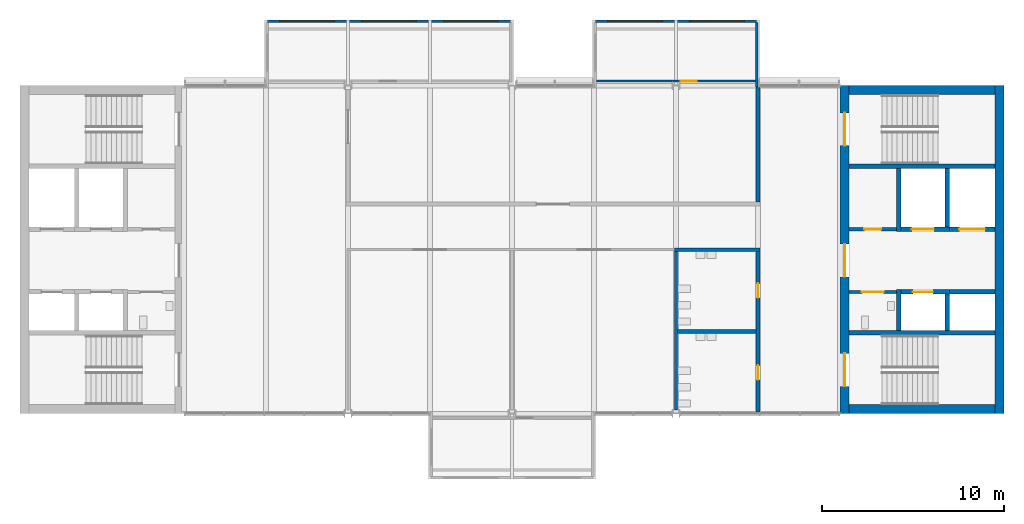
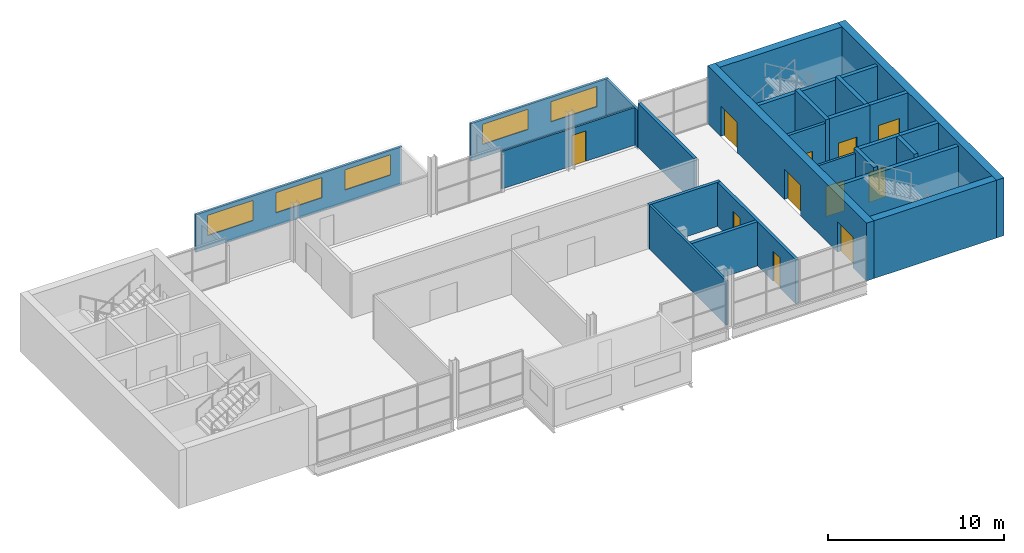
# One storey, part 6 of 10: 25 walls, 11 doors, 5 windows, 16 openings.
"""IFC4 building model written with IfcOpenShell, lengths in metres."""

from ifc_helpers import new_model, si_unit, direction, frame, frame_2d, origin, place, context, subcontext, project, spatial, rectangle, extrude, material, layer, layer_set, type_object, element, fill, save


model = new_model("IFC4")

# Units and contexts
model_context = context("Model", 3, precision=1e-05, world=origin(), true_north=direction((0.0, 1.0)))
body_context = subcontext(model_context, "Body", "Model", "MODEL_VIEW")
ifc_project = project(units=[si_unit("LENGTHUNIT", "METRE"), si_unit("AREAUNIT", "SQUARE_METRE"), si_unit("VOLUMEUNIT", "CUBIC_METRE"), si_unit("PLANEANGLEUNIT", "RADIAN"), si_unit("MASSUNIT", "GRAM", prefix="KILO")], contexts=[model_context])

# Site, building, storey
site_placement = place(None, origin())
site = spatial("IfcSite", under=ifc_project, at=site_placement, CompositionType="ELEMENT")
building_placement = place(site_placement, origin())
building = spatial("IfcBuilding", under=site, at=building_placement, Name="Corbel Yard City Hall", CompositionType="ELEMENT")
storey_placement = place(building_placement, frame((0.0, 0.0, 47.199951171875)))
storey = spatial("IfcBuildingStorey", under=building, at=storey_placement, Name="L11", CompositionType="ELEMENT", Elevation=47.199951171875)

# Walls
ifc_material_1 = material(Name="Concrete N40 (40 MPa)", Category="concrete")
ifc_layer_1 = layer(ifc_material_1, 0.25)
ifc_layer_set_1 = layer_set([ifc_layer_1], Name="Concrete N40 (40 MPa)")
wall_type_1 = type_object("IfcWallType", Name="IW2", PredefinedType="SOLIDWALL", material=ifc_layer_set_1)
for number, where, z_axis, x_axis, name in (
    (1, (45.5, 103.425048828125, 0.0), (0.0, 0.0, 1.0), (1.0, 0.0, 0.0), "Stair enclosure wall"),
    (2, (45.5, 112.574951171875, 0.0), (0.0, 0.0, 1.0), (1.0, 0.0, 0.0), "Stair enclosure wall"),
):
    element("IfcWall", number, at=place(storey_placement, frame(where, z_axis=z_axis, x_axis=x_axis)), inside=storey, type_object=wall_type_1, Name=name, PredefinedType="SOLIDWALL", context=body_context, shape_type="SweptSolid", body=[
        extrude(rectangle(XDim=8.0, YDim=0.25, at=frame_2d((4.0, 0.0))), origin(), (0.0, 0.0, 1.0), 3.75),
    ])
wall_1_placement = place(storey_placement, frame((48.22509765625, 103.550048828125, 0.0), z_axis=(0.0, 0.0, 1.0), x_axis=(0.0, 1.0, 0.0)))
element("IfcWall", 3, at=wall_1_placement, inside=storey, type_object=wall_type_1, Name="Lift LP25 shaft wall", PredefinedType="SOLIDWALL", context=body_context, shape_type="SweptSolid", body=[
    extrude(rectangle(XDim=2.25, YDim=0.25, at=frame_2d((1.125, 0.0))), origin(), (0.0, 0.0, 1.0), 4.0),
])
wall_2_placement = place(storey_placement, frame((50.875, 103.550048828125, 0.0), z_axis=(0.0, 0.0, 1.0), x_axis=(0.0, 1.0, 0.0)))
element("IfcWall", 4, at=wall_2_placement, inside=storey, type_object=wall_type_1, Name="Lift LP25 shaft wall", PredefinedType="SOLIDWALL", context=body_context, shape_type="SweptSolid", body=[
    extrude(rectangle(XDim=2.0, YDim=0.25, at=frame_2d((1.0, 0.0))), origin(), (0.0, 0.0, 1.0), 4.0),
])

# Wall, opening, door
wall_3_placement = place(storey_placement, frame((48.35009765625, 105.675048828125, 0.0), z_axis=(0.0, 0.0, 1.0), x_axis=(1.0, 0.0, 0.0)))
wall_3 = element("IfcWall", 5, at=wall_3_placement, inside=storey, type_object=wall_type_1, Name="Lift LP25 shaft wall", PredefinedType="SOLIDWALL", context=body_context, shape_type="SweptSolid", body=[
    extrude(rectangle(XDim=2.64990234375, YDim=0.25, at=frame_2d((1.324951171875, 0.0))), origin(), (0.0, 0.0, 1.0), 4.0),
])
opening_1_placement = place(wall_3_placement, frame((0.64990234375, 0.0, 0.0)))
opening_1 = element("IfcOpeningElement", 6, at=opening_1_placement, cuts=wall_3, Name="Opening T3-008", PredefinedType="OPENING", context=body_context, shape_type="SweptSolid", body=[
    extrude(rectangle(XDim=1.10009765625, YDim=2.10009765625, at=frame_2d((0.550048828125, 1.050048828125))), frame((0.0, 0.135009765625, 0.0), z_axis=(0.0, -1.0, 0.0), x_axis=(1.0, 0.0, 0.0)), (0.0, 0.0, 1.0), 0.27001953125),
])
ifc_material_2 = material(Name="Stainless steel Grade 316", Category="steel")
door_type_1 = type_object("IfcDoorType", Name="LD1", OperationType="DOUBLE_DOOR_SLIDING", PredefinedType="DOOR", material=ifc_material_2)
door_1_placement = place(opening_1_placement, origin())
door_1 = element("IfcDoor", 7, at=door_1_placement, inside=storey, type_object=door_type_1, Name="Lift LP25 landing door", OperationType="DOUBLE_DOOR_SLIDING", OverallHeight=2.10009765625, OverallWidth=1.10009765625, PredefinedType="DOOR", context=body_context, shape_type="SweptSolid", body=[
    extrude(rectangle(XDim=1.10009765625, YDim=2.10009765625, at=frame_2d((0.550048828125, 1.050048828125))), frame((0.0, 0.02490234375, 0.0), z_axis=(0.0, -1.0, 0.0), x_axis=(1.0, 0.0, 0.0)), (0.0, 0.0, 1.0), 0.050048828125),
])
fill(opening_1, door_1)

# Walls
wall_4_placement = place(storey_placement, frame((51.0, 105.675048828125, 0.0), z_axis=(0.0, 0.0, 1.0), x_axis=(1.0, 0.0, 0.0)))
element("IfcWall", 8, at=wall_4_placement, inside=storey, type_object=wall_type_1, Name="Lift LP26 shaft wall", PredefinedType="SOLIDWALL", context=body_context, shape_type="SweptSolid", body=[
    extrude(rectangle(XDim=2.5, YDim=0.25, at=frame_2d((1.25, 0.0))), origin(), (0.0, 0.0, 1.0), 4.0),
])
wall_5_placement = place(storey_placement, frame((48.22509765625, 109.0, 0.0), z_axis=(0.0, 0.0, 1.0), x_axis=(0.0, 1.0, 0.0)))
element("IfcWall", 9, at=wall_5_placement, inside=storey, type_object=wall_type_1, Name="Lift LF2 shaft wall", PredefinedType="SOLIDWALL", context=body_context, shape_type="SweptSolid", body=[
    extrude(rectangle(XDim=3.449951171875, YDim=0.25, at=frame_2d((1.72509765625, 0.0))), origin(), (0.0, 0.0, 1.0), 4.0),
])
wall_6_placement = place(storey_placement, frame((50.875, 109.25, 0.0), z_axis=(0.0, 0.0, 1.0), x_axis=(0.0, 1.0, 0.0)))
element("IfcWall", 10, at=wall_6_placement, inside=storey, type_object=wall_type_1, Name="Lift LF2 shaft wall", PredefinedType="SOLIDWALL", context=body_context, shape_type="SweptSolid", body=[
    extrude(rectangle(XDim=3.199951171875, YDim=0.25, at=frame_2d((1.60009765625, 0.0))), origin(), (0.0, 0.0, 1.0), 4.0),
])

# Wall, opening, door
wall_7_placement = place(storey_placement, frame((48.35009765625, 109.125, 0.0), z_axis=(0.0, 0.0, 1.0), x_axis=(1.0, 0.0, 0.0)))
wall_7 = element("IfcWall", 11, at=wall_7_placement, inside=storey, type_object=wall_type_1, Name="Lift LF2 shaft wall", PredefinedType="SOLIDWALL", context=body_context, shape_type="SweptSolid", body=[
    extrude(rectangle(XDim=2.64990234375, YDim=0.25, at=frame_2d((1.324951171875, 0.0))), origin(), (0.0, 0.0, 1.0), 4.0),
])
opening_2_placement = place(wall_7_placement, frame((0.60009765625, 0.0, 0.0)))
opening_2 = element("IfcOpeningElement", 12, at=opening_2_placement, cuts=wall_7, Name="Opening T3-009", PredefinedType="OPENING", context=body_context, shape_type="SweptSolid", body=[
    extrude(rectangle(XDim=1.199951171875, YDim=2.10009765625, at=frame_2d((0.60009765625, 1.050048828125))), frame((0.0, 0.135009765625, 0.0), z_axis=(0.0, -1.0, 0.0), x_axis=(1.0, 0.0, 0.0)), (0.0, 0.0, 1.0), 0.27001953125),
])
door_type_2 = type_object("IfcDoorType", Name="LD2", OperationType="DOUBLE_DOOR_SLIDING", PredefinedType="DOOR", material=ifc_material_2)
door_2_placement = place(opening_2_placement, origin())
door_2 = element("IfcDoor", 13, at=door_2_placement, inside=storey, type_object=door_type_2, Name="Lift LF2 landing door", OperationType="DOUBLE_DOOR_SLIDING", OverallHeight=2.10009765625, OverallWidth=1.199951171875, PredefinedType="DOOR", context=body_context, shape_type="SweptSolid", body=[
    extrude(rectangle(XDim=1.199951171875, YDim=2.10009765625, at=frame_2d((0.60009765625, 1.050048828125))), frame((0.0, 0.02490234375, 0.0), z_axis=(0.0, -1.0, 0.0), x_axis=(1.0, 0.0, 0.0)), (0.0, 0.0, 1.0), 0.050048828125),
])
fill(opening_2, door_2)

wall_8_placement = place(storey_placement, frame((51.0, 109.125, 0.0), z_axis=(0.0, 0.0, 1.0), x_axis=(1.0, 0.0, 0.0)))
wall_8 = element("IfcWall", 14, at=wall_8_placement, inside=storey, type_object=wall_type_1, Name="Lift LG1 shaft wall", PredefinedType="SOLIDWALL", context=body_context, shape_type="SweptSolid", body=[
    extrude(rectangle(XDim=2.5, YDim=0.25, at=frame_2d((1.25, 0.0))), origin(), (0.0, 0.0, 1.0), 4.0),
])
opening_3_placement = place(wall_8_placement, frame((0.550048828125, 0.0, 0.0)))
opening_3 = element("IfcOpeningElement", 15, at=opening_3_placement, cuts=wall_8, Name="Opening T3-010", PredefinedType="OPENING", context=body_context, shape_type="SweptSolid", body=[
    extrude(rectangle(XDim=1.39990234375, YDim=2.39990234375, at=frame_2d((0.699951171875, 1.199951171875))), frame((0.0, 0.135009765625, 0.0), z_axis=(0.0, -1.0, 0.0), x_axis=(1.0, 0.0, 0.0)), (0.0, 0.0, 1.0), 0.27001953125),
])
door_type_3 = type_object("IfcDoorType", Name="LD3", OperationType="DOUBLE_DOOR_SLIDING", PredefinedType="DOOR", material=ifc_material_2)
door_3_placement = place(opening_3_placement, origin())
door_3 = element("IfcDoor", 16, at=door_3_placement, inside=storey, type_object=door_type_3, Name="Lift LG1 landing door", OperationType="DOUBLE_DOOR_SLIDING", OverallHeight=2.39990234375, OverallWidth=1.39990234375, PredefinedType="DOOR", context=body_context, shape_type="SweptSolid", body=[
    extrude(rectangle(XDim=1.39990234375, YDim=2.39990234375, at=frame_2d((0.699951171875, 1.199951171875))), frame((0.0, 0.02490234375, 0.0), z_axis=(0.0, -1.0, 0.0), x_axis=(1.0, 0.0, 0.0)), (0.0, 0.0, 1.0), 0.050048828125),
])
fill(opening_3, door_3)

# Wall, openings, windows
ifc_material_3 = material(Name="Anodised aluminium", Category="aluminium")
ifc_layer_2 = layer(ifc_material_3, 0.02392578125)
ifc_material_4 = material(Name="Steel Grade G550 (550 MPa yield)", Category="steel")
ifc_layer_3 = layer(ifc_material_4, 0.10009765625)
ifc_material_5 = material(Name="Gypsum plasterboard", Category="gypsum")
ifc_layer_4 = layer(ifc_material_5, 0.02587890625)
ifc_layer_set_2 = layer_set([ifc_layer_2, ifc_layer_3, ifc_layer_4], Name="Steel Grade G550 (550 MPa yield)")
wall_type_2 = type_object("IfcWallType", Name="PD1", PredefinedType="SOLIDWALL", material=ifc_layer_set_2)
wall_9_placement = place(storey_placement, frame((13.5, 120.52490234375, 0.0), z_axis=(0.0, 0.0, 1.0), x_axis=(1.0, 0.0, 0.0)))
wall_9 = element("IfcWall", 17, at=wall_9_placement, inside=storey, type_object=wall_type_2, Name="Pod outer wall L11", PredefinedType="SOLIDWALL", context=body_context, shape_type="SweptSolid", body=[
    extrude(rectangle(XDim=13.5, YDim=0.14990234375, at=frame_2d((6.75, 0.0))), origin(), (0.0, 0.0, 1.0), 2.60009765625),
])
opening_4_placement = place(wall_9_placement, frame((0.75, 0.0, 0.89990234375)))
opening_4 = element("IfcOpeningElement", 18, at=opening_4_placement, cuts=wall_9, Name="Opening WN5", PredefinedType="OPENING", context=body_context, shape_type="SweptSolid", body=[
    extrude(rectangle(XDim=3.0, YDim=1.39990234375, at=frame_2d((1.5, 0.699951171875))), frame((0.0, 0.0849609375, 0.0), z_axis=(0.0, -1.0, 0.0), x_axis=(1.0, 0.0, 0.0)), (0.0, 0.0, 1.0), 0.169921875),
])
opening_5_placement = place(wall_9_placement, frame((5.25, 0.0, 0.89990234375)))
opening_5 = element("IfcOpeningElement", 19, at=opening_5_placement, cuts=wall_9, Name="Opening WN5", PredefinedType="OPENING", context=body_context, shape_type="SweptSolid", body=[
    extrude(rectangle(XDim=3.0, YDim=1.39990234375, at=frame_2d((1.5, 0.699951171875))), frame((0.0, 0.0849609375, 0.0), z_axis=(0.0, -1.0, 0.0), x_axis=(1.0, 0.0, 0.0)), (0.0, 0.0, 1.0), 0.169921875),
])
opening_6_placement = place(wall_9_placement, frame((9.75, 0.0, 0.89990234375)))
opening_6 = element("IfcOpeningElement", 20, at=opening_6_placement, cuts=wall_9, Name="Opening WN5", PredefinedType="OPENING", context=body_context, shape_type="SweptSolid", body=[
    extrude(rectangle(XDim=3.0, YDim=1.39990234375, at=frame_2d((1.5, 0.699951171875))), frame((0.0, 0.0849609375, 0.0), z_axis=(0.0, -1.0, 0.0), x_axis=(1.0, 0.0, 0.0)), (0.0, 0.0, 1.0), 0.169921875),
])
ifc_material_6 = material(Name="Aluminium frame, double glazed low-e glass", Category="aluminium")
window_type = type_object("IfcWindowType", Name="WN5", PartitioningType="SINGLE_PANEL", PredefinedType="WINDOW", material=ifc_material_6)
window_1_placement = place(opening_4_placement, origin())
window_1 = element("IfcWindow", 21, at=window_1_placement, inside=storey, type_object=window_type, Name="Window WN5 L11", OverallHeight=1.39990234375, OverallWidth=3.0, PartitioningType="SINGLE_PANEL", PredefinedType="WINDOW", context=body_context, shape_type="SweptSolid", body=[
    extrude(rectangle(XDim=3.0, YDim=1.39990234375, at=frame_2d((1.5, 0.699951171875))), frame((0.0, 0.030029296875, 0.0), z_axis=(0.0, -1.0, 0.0), x_axis=(1.0, 0.0, 0.0)), (0.0, 0.0, 1.0), 0.06005859375),
])
fill(opening_4, window_1)
window_2_placement = place(opening_5_placement, origin())
window_2 = element("IfcWindow", 22, at=window_2_placement, inside=storey, type_object=window_type, Name="Window WN5 L11", OverallHeight=1.39990234375, OverallWidth=3.0, PartitioningType="SINGLE_PANEL", PredefinedType="WINDOW", context=body_context, shape_type="SweptSolid", body=[
    extrude(rectangle(XDim=3.0, YDim=1.39990234375, at=frame_2d((1.5, 0.699951171875))), frame((0.0, 0.030029296875, 0.0), z_axis=(0.0, -1.0, 0.0), x_axis=(1.0, 0.0, 0.0)), (0.0, 0.0, 1.0), 0.06005859375),
])
fill(opening_5, window_2)
window_3_placement = place(opening_6_placement, origin())
window_3 = element("IfcWindow", 23, at=window_3_placement, inside=storey, type_object=window_type, Name="Window WN5 L11", OverallHeight=1.39990234375, OverallWidth=3.0, PartitioningType="SINGLE_PANEL", PredefinedType="WINDOW", context=body_context, shape_type="SweptSolid", body=[
    extrude(rectangle(XDim=3.0, YDim=1.39990234375, at=frame_2d((1.5, 0.699951171875))), frame((0.0, 0.030029296875, 0.0), z_axis=(0.0, -1.0, 0.0), x_axis=(1.0, 0.0, 0.0)), (0.0, 0.0, 1.0), 0.06005859375),
])
fill(opening_6, window_3)

wall_10_placement = place(storey_placement, frame((31.5, 120.52490234375, 0.0), z_axis=(0.0, 0.0, 1.0), x_axis=(1.0, 0.0, 0.0)))
wall_10 = element("IfcWall", 24, at=wall_10_placement, inside=storey, type_object=wall_type_2, Name="Pod outer wall L11", PredefinedType="SOLIDWALL", context=body_context, shape_type="SweptSolid", body=[
    extrude(rectangle(XDim=9.0, YDim=0.14990234375, at=frame_2d((4.5, 0.0))), origin(), (0.0, 0.0, 1.0), 2.60009765625),
])
opening_7_placement = place(wall_10_placement, frame((0.75, 0.0, 0.89990234375)))
opening_7 = element("IfcOpeningElement", 25, at=opening_7_placement, cuts=wall_10, Name="Opening WN5", PredefinedType="OPENING", context=body_context, shape_type="SweptSolid", body=[
    extrude(rectangle(XDim=3.0, YDim=1.39990234375, at=frame_2d((1.5, 0.699951171875))), frame((0.0, 0.0849609375, 0.0), z_axis=(0.0, -1.0, 0.0), x_axis=(1.0, 0.0, 0.0)), (0.0, 0.0, 1.0), 0.169921875),
])
opening_8_placement = place(wall_10_placement, frame((5.25, 0.0, 0.89990234375)))
opening_8 = element("IfcOpeningElement", 26, at=opening_8_placement, cuts=wall_10, Name="Opening WN5", PredefinedType="OPENING", context=body_context, shape_type="SweptSolid", body=[
    extrude(rectangle(XDim=3.0, YDim=1.39990234375, at=frame_2d((1.5, 0.699951171875))), frame((0.0, 0.0849609375, 0.0), z_axis=(0.0, -1.0, 0.0), x_axis=(1.0, 0.0, 0.0)), (0.0, 0.0, 1.0), 0.169921875),
])
window_4_placement = place(opening_7_placement, origin())
window_4 = element("IfcWindow", 27, at=window_4_placement, inside=storey, type_object=window_type, Name="Window WN5 L11", OverallHeight=1.39990234375, OverallWidth=3.0, PartitioningType="SINGLE_PANEL", PredefinedType="WINDOW", context=body_context, shape_type="SweptSolid", body=[
    extrude(rectangle(XDim=3.0, YDim=1.39990234375, at=frame_2d((1.5, 0.699951171875))), frame((0.0, 0.030029296875, 0.0), z_axis=(0.0, -1.0, 0.0), x_axis=(1.0, 0.0, 0.0)), (0.0, 0.0, 1.0), 0.06005859375),
])
fill(opening_7, window_4)
window_5_placement = place(opening_8_placement, origin())
window_5 = element("IfcWindow", 28, at=window_5_placement, inside=storey, type_object=window_type, Name="Window WN5 L11", OverallHeight=1.39990234375, OverallWidth=3.0, PartitioningType="SINGLE_PANEL", PredefinedType="WINDOW", context=body_context, shape_type="SweptSolid", body=[
    extrude(rectangle(XDim=3.0, YDim=1.39990234375, at=frame_2d((1.5, 0.699951171875))), frame((0.0, 0.030029296875, 0.0), z_axis=(0.0, -1.0, 0.0), x_axis=(1.0, 0.0, 0.0)), (0.0, 0.0, 1.0), 0.06005859375),
])
fill(opening_8, window_5)

# Wall, opening, door
ifc_layer_5 = layer(ifc_material_5, 0.01806640625)
ifc_layer_6 = layer(ifc_material_4, 0.06396484375)
ifc_layer_7 = layer(ifc_material_5, 0.01806640625)
ifc_layer_set_3 = layer_set([ifc_layer_5, ifc_layer_6, ifc_layer_7], Name="Steel Grade G550 (550 MPa yield)")
wall_type_3 = type_object("IfcWallType", Name="PD2", PredefinedType="PARTITIONING", material=ifc_layer_set_3)
wall_11_placement = place(storey_placement, frame((31.64990234375, 117.25, 0.0), z_axis=(0.0, 0.0, 1.0), x_axis=(1.0, 0.0, 0.0)))
wall_11 = element("IfcWall", 29, at=wall_11_placement, inside=storey, type_object=wall_type_3, Name="Pod inner wall L11", PredefinedType="PARTITIONING", context=body_context, shape_type="SweptSolid", body=[
    extrude(rectangle(XDim=8.7001953125, YDim=0.10009765625, at=frame_2d((4.35009765625, 0.0))), origin(), (0.0, 0.0, 1.0), 2.60009765625),
])
opening_9_placement = place(wall_11_placement, frame((4.60009765625, 0.0, 0.0)))
opening_9 = element("IfcOpeningElement", 30, at=opening_9_placement, cuts=wall_11, Name="Opening T3-003", PredefinedType="OPENING", context=body_context, shape_type="SweptSolid", body=[
    extrude(rectangle(XDim=0.89990234375, YDim=2.10009765625, at=frame_2d((0.449951171875, 1.050048828125))), frame((0.0, 0.06005859375, 0.0), z_axis=(0.0, -1.0, 0.0), x_axis=(1.0, 0.0, 0.0)), (0.0, 0.0, 1.0), 0.1201171875),
])
ifc_material_7 = material(Name="Timber, solid core", Category="wood")
door_type_4 = type_object("IfcDoorType", Name="XD6", OperationType="SINGLE_SWING_LEFT", PredefinedType="DOOR", material=ifc_material_7)
door_4_placement = place(opening_9_placement, origin())
door_4 = element("IfcDoor", 31, at=door_4_placement, inside=storey, type_object=door_type_4, Name="Pod door L11", OperationType="SINGLE_SWING_RIGHT", OverallHeight=2.10009765625, OverallWidth=0.89990234375, PredefinedType="DOOR", context=body_context, shape_type="SweptSolid", body=[
    extrude(rectangle(XDim=0.89990234375, YDim=2.10009765625, at=frame_2d((0.449951171875, 1.050048828125))), frame((0.0, 0.02490234375, 0.0), z_axis=(0.0, -1.0, 0.0), x_axis=(1.0, 0.0, 0.0)), (0.0, 0.0, 1.0), 0.050048828125),
])
fill(opening_9, door_4)

# Walls
ifc_layer_8 = layer(ifc_material_3, 0.02392578125)
ifc_layer_9 = layer(ifc_material_4, 0.10009765625)
ifc_layer_10 = layer(ifc_material_5, 0.02587890625)
ifc_layer_set_4 = layer_set([ifc_layer_8, ifc_layer_9, ifc_layer_10], Name="Steel Grade G550 (550 MPa yield)")
wall_type_4 = type_object("IfcWallType", Name="PD3", PredefinedType="SOLIDWALL", material=ifc_layer_set_4)
wall_12_placement = place(storey_placement, frame((40.425048828125, 120.449951171875, -0.14990234375), z_axis=(0.0, 0.0, 1.0), x_axis=(0.0, -1.0, 0.0)))
element("IfcWall", 32, at=wall_12_placement, inside=storey, type_object=wall_type_4, Name="Pod side wall L11", PredefinedType="SOLIDWALL", context=body_context, shape_type="SweptSolid", body=[
    extrude(rectangle(XDim=3.5400390625, YDim=0.14990234375, at=frame_2d((1.77001953125, 0.0))), origin(), (0.0, 0.0, 1.0), 2.75),
])
ifc_layer_11 = layer(ifc_material_5, 0.031982421875)
ifc_layer_12 = layer(ifc_material_4, 0.135986328125)
ifc_layer_13 = layer(ifc_material_5, 0.031982421875)
ifc_layer_set_5 = layer_set([ifc_layer_11, ifc_layer_12, ifc_layer_13], Name="Steel Grade G550 (550 MPa yield)")
wall_type_5 = type_object("IfcWallType", Name="PT2", PredefinedType="PARTITIONING", material=ifc_layer_set_5)
wall_13_placement = place(storey_placement, frame((35.925048828125, 108.0, 0.0), z_axis=(0.0, 0.0, 1.0), x_axis=(1.0, 0.0, 0.0)))
element("IfcWall", 33, at=wall_13_placement, inside=storey, type_object=wall_type_5, Name="Acoustic wall", PredefinedType="PARTITIONING", context=body_context, shape_type="SweptSolid", body=[
    extrude(rectangle(XDim=4.675048828125, YDim=0.199951171875, at=frame_2d((2.33740234375, 0.0))), origin(), (0.0, 0.0, 1.0), 3.050048828125),
])

# Wall, openings, doors
wall_14_placement = place(storey_placement, frame((40.5, 99.074951171875, 0.0), z_axis=(0.0, 0.0, 1.0), x_axis=(0.0, 1.0, 0.0)))
wall_14 = element("IfcWall", 34, at=wall_14_placement, inside=storey, type_object=wall_type_5, Name="Acoustic wall", PredefinedType="PARTITIONING", context=body_context, shape_type="SweptSolid", body=[
    extrude(rectangle(XDim=8.824951171875, YDim=0.199951171875, at=frame_2d((4.41259765625, 0.0))), origin(), (0.0, 0.0, 1.0), 3.050048828125),
])
opening_10_placement = place(wall_14_placement, frame((1.77490234375, 0.0, 0.0)))
opening_10 = element("IfcOpeningElement", 35, at=opening_10_placement, cuts=wall_14, Name="Opening T3-013", PredefinedType="OPENING", context=body_context, shape_type="SweptSolid", body=[
    extrude(rectangle(XDim=0.800048828125, YDim=2.10009765625, at=frame_2d((0.39990234375, 1.050048828125))), frame((0.0, 0.10986328125, 0.0), z_axis=(0.0, -1.0, 0.0), x_axis=(1.0, 0.0, 0.0)), (0.0, 0.0, 1.0), 0.219970703125),
])
opening_11_placement = place(wall_14_placement, frame((6.27490234375, 0.0, 0.0)))
opening_11 = element("IfcOpeningElement", 36, at=opening_11_placement, cuts=wall_14, Name="Opening T3-014", PredefinedType="OPENING", context=body_context, shape_type="SweptSolid", body=[
    extrude(rectangle(XDim=0.800048828125, YDim=2.10009765625, at=frame_2d((0.39990234375, 1.050048828125))), frame((0.0, 0.10986328125, 0.0), z_axis=(0.0, -1.0, 0.0), x_axis=(1.0, 0.0, 0.0)), (0.0, 0.0, 1.0), 0.219970703125),
])
ifc_material_8 = material(Name="Timber", Category="wood")
door_type_5 = type_object("IfcDoorType", Name="D44", OperationType="SINGLE_SWING_LEFT", PredefinedType="DOOR", material=ifc_material_8)
door_5_placement = place(opening_10_placement, origin())
door_5 = element("IfcDoor", 37, at=door_5_placement, inside=storey, type_object=door_type_5, Name="Door Women's WC 1108", OperationType="SINGLE_SWING_RIGHT", OverallHeight=2.10009765625, OverallWidth=0.800048828125, PredefinedType="DOOR", context=body_context, shape_type="SweptSolid", body=[
    extrude(rectangle(XDim=0.800048828125, YDim=2.10009765625, at=frame_2d((0.39990234375, 1.050048828125))), frame((0.0, 0.02490234375, 0.0), z_axis=(0.0, -1.0, 0.0), x_axis=(1.0, 0.0, 0.0)), (0.0, 0.0, 1.0), 0.050048828125),
])
fill(opening_10, door_5)
door_6_placement = place(opening_11_placement, origin())
door_6 = element("IfcDoor", 38, at=door_6_placement, inside=storey, type_object=door_type_5, Name="Door Men's WC 1109", OperationType="SINGLE_SWING_LEFT", OverallHeight=2.10009765625, OverallWidth=0.800048828125, PredefinedType="DOOR", context=body_context, shape_type="SweptSolid", body=[
    extrude(rectangle(XDim=0.800048828125, YDim=2.10009765625, at=frame_2d((0.39990234375, 1.050048828125))), frame((0.0, 0.02490234375, 0.0), z_axis=(0.0, -1.0, 0.0), x_axis=(1.0, 0.0, 0.0)), (0.0, 0.0, 1.0), 0.050048828125),
])
fill(opening_11, door_6)

# Wall
wall_15_placement = place(storey_placement, frame((40.5, 110.60009765625, 0.0), z_axis=(0.0, 0.0, 1.0), x_axis=(0.0, 1.0, 0.0)))
element("IfcWall", 39, at=wall_15_placement, inside=storey, type_object=wall_type_5, Name="Acoustic wall", PredefinedType="PARTITIONING", context=body_context, shape_type="SweptSolid", body=[
    extrude(rectangle(XDim=6.309814453125, YDim=0.199951171875, at=frame_2d((3.15478515625, 0.0))), origin(), (0.0, 0.0, 1.0), 3.050048828125),
])

# Wall, opening, door
ifc_layer_14 = layer(ifc_material_5, 0.031982421875)
ifc_layer_15 = layer(ifc_material_4, 0.095947265625)
ifc_layer_16 = layer(ifc_material_5, 0.031982421875)
ifc_layer_set_6 = layer_set([ifc_layer_14, ifc_layer_15, ifc_layer_16], Name="Steel Grade G550 (550 MPa yield)")
wall_type_6 = type_object("IfcWallType", Name="PT3", PredefinedType="PARTITIONING", material=ifc_layer_set_6)
wall_16_placement = place(storey_placement, frame((45.5, 105.675048828125, 0.0), z_axis=(0.0, 0.0, 1.0), x_axis=(1.0, 0.0, 0.0)))
wall_16 = element("IfcWall", 40, at=wall_16_placement, inside=storey, type_object=wall_type_6, Name="Accessible WC wall", PredefinedType="PARTITIONING", context=body_context, shape_type="SweptSolid", body=[
    extrude(rectangle(XDim=2.60009765625, YDim=0.159912109375, at=frame_2d((1.300048828125, 0.0))), origin(), (0.0, 0.0, 1.0), 3.75),
])
opening_12_placement = place(wall_16_placement, frame((0.699951171875, 0.0, 0.0)))
opening_12 = element("IfcOpeningElement", 41, at=opening_12_placement, cuts=wall_16, Name="Opening T3-025", PredefinedType="OPENING", context=body_context, shape_type="SweptSolid", body=[
    extrude(rectangle(XDim=1.199951171875, YDim=2.10009765625, at=frame_2d((0.60009765625, 1.050048828125))), frame((0.0, 0.08984375, 0.0), z_axis=(0.0, -1.0, 0.0), x_axis=(1.0, 0.0, 0.0)), (0.0, 0.0, 1.0), 0.179931640625),
])
ifc_material_9 = material(Name="Steel Grade G250", Category="steel")
door_type_6 = type_object("IfcDoorType", Name="FD7", OperationType="SINGLE_SWING_LEFT", PredefinedType="DOOR", material=ifc_material_9)
door_7_placement = place(opening_12_placement, frame((1.199951171875, 0.0, 0.0), z_axis=(0.0, 0.0, 1.0), x_axis=(-1.0, 0.0, 0.0)))
door_7 = element("IfcDoor", 42, at=door_7_placement, inside=storey, type_object=door_type_6, Name="Door accessible WC East", OperationType="SINGLE_SWING_RIGHT", OverallHeight=2.10009765625, OverallWidth=1.199951171875, PredefinedType="DOOR", context=body_context, shape_type="SweptSolid", body=[
    extrude(rectangle(XDim=1.199951171875, YDim=2.10009765625, at=frame_2d((0.60009765625, 1.050048828125))), frame((0.0, 0.02490234375, 0.0), z_axis=(0.0, -1.0, 0.0), x_axis=(1.0, 0.0, 0.0)), (0.0, 0.0, 1.0), 0.050048828125),
])
fill(opening_12, door_7)

ifc_material_10 = material(Name="Concrete block", Category="concrete")
ifc_layer_17 = layer(ifc_material_10, 0.18994140625)
ifc_layer_set_7 = layer_set([ifc_layer_17], Name="Concrete block")
wall_type_7 = type_object("IfcWallType", Name="PT4", PredefinedType="PARTITIONING", material=ifc_layer_set_7)
wall_17_placement = place(storey_placement, frame((45.5, 109.125, 0.0), z_axis=(0.0, 0.0, 1.0), x_axis=(1.0, 0.0, 0.0)))
wall_17 = element("IfcWall", 43, at=wall_17_placement, inside=storey, type_object=wall_type_7, Name="Riser wall", PredefinedType="PARTITIONING", context=body_context, shape_type="SweptSolid", body=[
    extrude(rectangle(XDim=2.60009765625, YDim=0.18994140625, at=frame_2d((1.300048828125, 0.0))), origin(), (0.0, 0.0, 1.0), 3.75),
])
opening_13_placement = place(wall_17_placement, frame((0.840087890625, 0.0, 0.0)))
opening_13 = element("IfcOpeningElement", 44, at=opening_13_placement, cuts=wall_17, Name="Opening T3-026", PredefinedType="OPENING", context=body_context, shape_type="SweptSolid", body=[
    extrude(rectangle(XDim=0.919921875, YDim=2.10009765625, at=frame_2d((0.4599609375, 1.050048828125))), frame((0.0, 0.10498046875, 0.0), z_axis=(0.0, -1.0, 0.0), x_axis=(1.0, 0.0, 0.0)), (0.0, 0.0, 1.0), 0.2099609375),
])
door_type_7 = type_object("IfcDoorType", Name="FS4", OperationType="SINGLE_SWING_LEFT", PredefinedType="DOOR", material=ifc_material_9)
door_8_placement = place(opening_13_placement, origin())
door_8 = element("IfcDoor", 45, at=door_8_placement, inside=storey, type_object=door_type_7, Name="Door riser East", OperationType="SINGLE_SWING_LEFT", OverallHeight=2.10009765625, OverallWidth=0.919921875, PredefinedType="DOOR", context=body_context, shape_type="SweptSolid", body=[
    extrude(rectangle(XDim=0.919921875, YDim=2.10009765625, at=frame_2d((0.4599609375, 1.050048828125))), frame((0.0, 0.02490234375, 0.0), z_axis=(0.0, -1.0, 0.0), x_axis=(1.0, 0.0, 0.0)), (0.0, 0.0, 1.0), 0.050048828125),
])
fill(opening_13, door_8)

# Walls
ifc_layer_18 = layer(ifc_material_5, 0.031982421875)
ifc_layer_19 = layer(ifc_material_4, 0.156005859375)
ifc_layer_20 = layer(ifc_material_5, 0.031982421875)
ifc_layer_set_8 = layer_set([ifc_layer_18, ifc_layer_19, ifc_layer_20], Name="Steel Grade G550 (550 MPa yield)")
wall_type_8 = type_object("IfcWallType", Name="PT5", PredefinedType="PLUMBINGWALL", material=ifc_layer_set_8)
wall_18_placement = place(storey_placement, frame((36.074951171875, 103.5, 0.0), z_axis=(0.0, 0.0, 1.0), x_axis=(1.0, 0.0, 0.0)))
element("IfcWall", 46, at=wall_18_placement, inside=storey, type_object=wall_type_8, Name="Wet wall", PredefinedType="PLUMBINGWALL", context=body_context, shape_type="SweptSolid", body=[
    extrude(rectangle(XDim=4.324951171875, YDim=0.219970703125, at=frame_2d((2.16259765625, 0.0))), origin(), (0.0, 0.0, 1.0), 3.050048828125),
])
ifc_layer_21 = layer(ifc_material_5, 0.031982421875)
ifc_layer_22 = layer(ifc_material_4, 0.0859375)
ifc_layer_23 = layer(ifc_material_5, 0.031982421875)
ifc_layer_set_9 = layer_set([ifc_layer_21, ifc_layer_22, ifc_layer_23], Name="Steel Grade G550 (550 MPa yield)")
wall_type_9 = type_object("IfcWallType", Name="PT7", PredefinedType="PARTITIONING", material=ifc_layer_set_9)
wall_19_placement = place(storey_placement, frame((36.0, 99.20703125, 0.0), z_axis=(0.0, 0.0, 1.0), x_axis=(0.0, 1.0, 0.0)))
element("IfcWall", 47, at=wall_19_placement, inside=storey, type_object=wall_type_9, Name="Suite partition", PredefinedType="PARTITIONING", context=body_context, shape_type="SweptSolid", body=[
    extrude(rectangle(XDim=8.69287109375, YDim=0.14990234375, at=frame_2d((4.346435546875, 0.0))), origin(), (0.0, 0.0, 1.0), 3.050048828125),
])

# Wall, openings, doors
ifc_material_11 = material(Name="Concrete N50 (50 MPa)", Category="concrete")
ifc_layer_24 = layer(ifc_material_11, 0.5)
ifc_layer_set_10 = layer_set([ifc_layer_24], Name="Concrete N50 (50 MPa)")
wall_type_10 = type_object("IfcWallType", Name="Trunk wall 500", PredefinedType="SHEAR", material=ifc_layer_set_10)
wall_20_placement = place(storey_placement, frame((45.25, 99.0, 0.0), z_axis=(0.0, 0.0, 1.0), x_axis=(0.0, 1.0, 0.0)))
wall_20 = element("IfcWall", 48, at=wall_20_placement, inside=storey, type_object=wall_type_10, Name="Trunk E west wall", PredefinedType="SHEAR", context=body_context, shape_type="SweptSolid", body=[
    extrude(rectangle(XDim=18.0, YDim=0.5, at=frame_2d((9.0, 0.0))), origin(), (0.0, 0.0, 1.0), 4.0),
])
opening_14_placement = place(wall_20_placement, frame((1.5, 0.0, 0.0)))
opening_14 = element("IfcOpeningElement", 49, at=opening_14_placement, cuts=wall_20, Name="Opening T3-022", PredefinedType="OPENING", context=body_context, shape_type="SweptSolid", body=[
    extrude(rectangle(XDim=1.800048828125, YDim=2.10009765625, at=frame_2d((0.89990234375, 1.050048828125))), frame((0.0, 0.260009765625, 0.0), z_axis=(0.0, -1.0, 0.0), x_axis=(1.0, 0.0, 0.0)), (0.0, 0.0, 1.0), 0.52001953125),
])
opening_15_placement = place(wall_20_placement, frame((14.699951171875, 0.0, 0.0)))
opening_15 = element("IfcOpeningElement", 50, at=opening_15_placement, cuts=wall_20, Name="Opening T3-023", PredefinedType="OPENING", context=body_context, shape_type="SweptSolid", body=[
    extrude(rectangle(XDim=1.800048828125, YDim=2.10009765625, at=frame_2d((0.89990234375, 1.050048828125))), frame((0.0, 0.260009765625, 0.0), z_axis=(0.0, -1.0, 0.0), x_axis=(1.0, 0.0, 0.0)), (0.0, 0.0, 1.0), 0.52001953125),
])
opening_16_placement = place(wall_20_placement, frame((7.5, 0.0, 0.0)))
opening_16 = element("IfcOpeningElement", 51, at=opening_16_placement, cuts=wall_20, Name="Opening T3-024", PredefinedType="OPENING", context=body_context, shape_type="SweptSolid", body=[
    extrude(rectangle(XDim=1.800048828125, YDim=2.10009765625, at=frame_2d((0.89990234375, 1.050048828125))), frame((0.0, 0.260009765625, 0.0), z_axis=(0.0, -1.0, 0.0), x_axis=(1.0, 0.0, 0.0)), (0.0, 0.0, 1.0), 0.52001953125),
])
door_type_8 = type_object("IfcDoorType", Name="FS3", OperationType="DOUBLE_DOOR_SINGLE_SWING", PredefinedType="DOOR", material=ifc_material_9)
door_9_placement = place(opening_14_placement, origin())
door_9 = element("IfcDoor", 52, at=door_9_placement, inside=storey, type_object=door_type_8, Name="Door ST-E1", OperationType="DOUBLE_DOOR_SINGLE_SWING", OverallHeight=2.10009765625, OverallWidth=1.800048828125, PredefinedType="DOOR", context=body_context, shape_type="SweptSolid", body=[
    extrude(rectangle(XDim=1.800048828125, YDim=2.10009765625, at=frame_2d((0.89990234375, 1.050048828125))), frame((0.0, 0.02490234375, 0.0), z_axis=(0.0, -1.0, 0.0), x_axis=(1.0, 0.0, 0.0)), (0.0, 0.0, 1.0), 0.050048828125),
])
fill(opening_14, door_9)
door_10_placement = place(opening_15_placement, origin())
door_10 = element("IfcDoor", 53, at=door_10_placement, inside=storey, type_object=door_type_8, Name="Door ST-E2", OperationType="DOUBLE_DOOR_SINGLE_SWING", OverallHeight=2.10009765625, OverallWidth=1.800048828125, PredefinedType="DOOR", context=body_context, shape_type="SweptSolid", body=[
    extrude(rectangle(XDim=1.800048828125, YDim=2.10009765625, at=frame_2d((0.89990234375, 1.050048828125))), frame((0.0, 0.02490234375, 0.0), z_axis=(0.0, -1.0, 0.0), x_axis=(1.0, 0.0, 0.0)), (0.0, 0.0, 1.0), 0.050048828125),
])
fill(opening_15, door_10)
door_11_placement = place(opening_16_placement, origin())
door_11 = element("IfcDoor", 54, at=door_11_placement, inside=storey, type_object=door_type_8, Name="Door lift lobby East", OperationType="DOUBLE_DOOR_SINGLE_SWING", OverallHeight=2.10009765625, OverallWidth=1.800048828125, PredefinedType="DOOR", context=body_context, shape_type="SweptSolid", body=[
    extrude(rectangle(XDim=1.800048828125, YDim=2.10009765625, at=frame_2d((0.89990234375, 1.050048828125))), frame((0.0, 0.02490234375, 0.0), z_axis=(0.0, -1.0, 0.0), x_axis=(1.0, 0.0, 0.0)), (0.0, 0.0, 1.0), 0.050048828125),
])
fill(opening_16, door_11)

# Walls
wall_21_placement = place(storey_placement, frame((53.75, 99.0, 0.0), z_axis=(0.0, 0.0, 1.0), x_axis=(0.0, 1.0, 0.0)))
element("IfcWall", 55, at=wall_21_placement, inside=storey, type_object=wall_type_10, Name="Trunk E east wall", PredefinedType="SHEAR", context=body_context, shape_type="SweptSolid", body=[
    extrude(rectangle(XDim=18.0, YDim=0.5, at=frame_2d((9.0, 0.0))), origin(), (0.0, 0.0, 1.0), 4.0),
])
for number, where, z_axis, x_axis, name in (
    (56, (45.5, 99.25, 0.0), (0.0, 0.0, 1.0), (1.0, 0.0, 0.0), "Trunk E south wall"),
    (57, (45.5, 116.75, 0.0), (0.0, 0.0, 1.0), (1.0, 0.0, 0.0), "Trunk E north wall"),
):
    element("IfcWall", number, at=place(storey_placement, frame(where, z_axis=z_axis, x_axis=x_axis)), inside=storey, type_object=wall_type_10, Name=name, PredefinedType="SHEAR", context=body_context, shape_type="SweptSolid", body=[
        extrude(rectangle(XDim=8.0, YDim=0.5, at=frame_2d((4.0, 0.0))), origin(), (0.0, 0.0, 1.0), 4.0),
    ])

save(model, "model.ifc")
